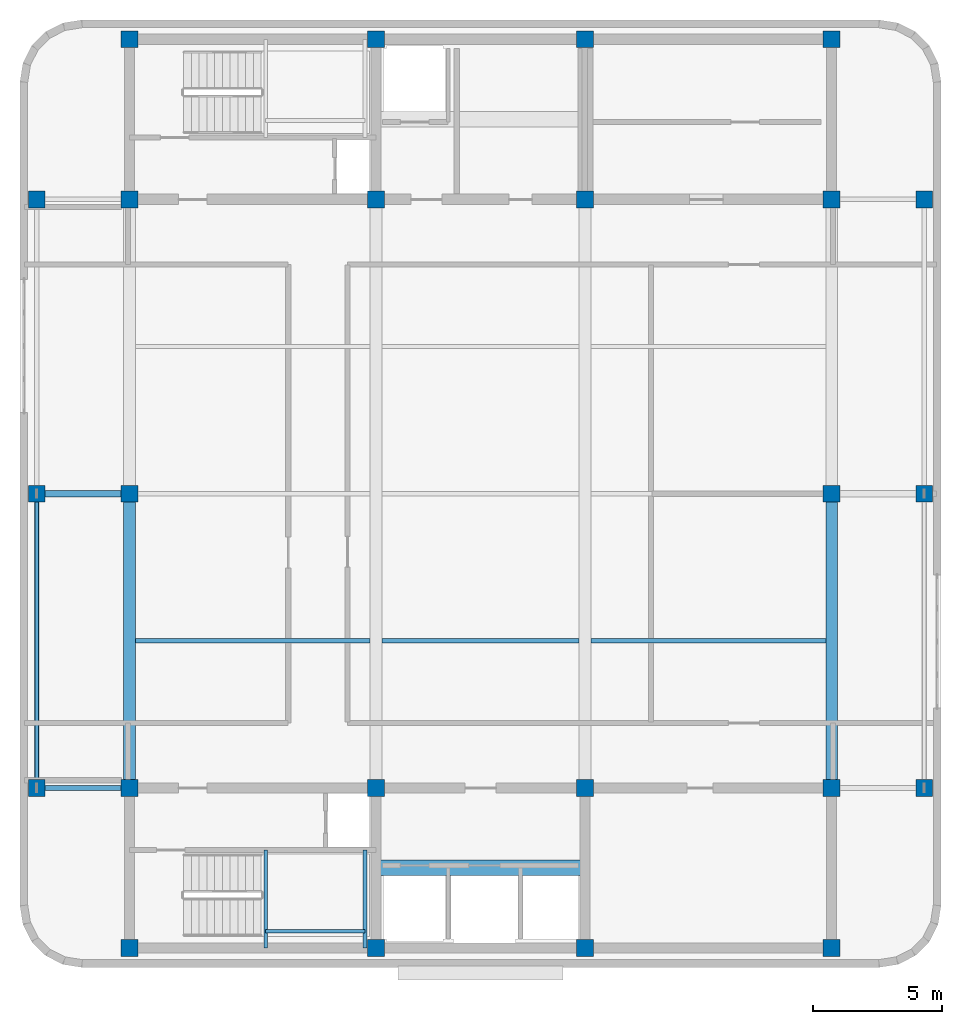
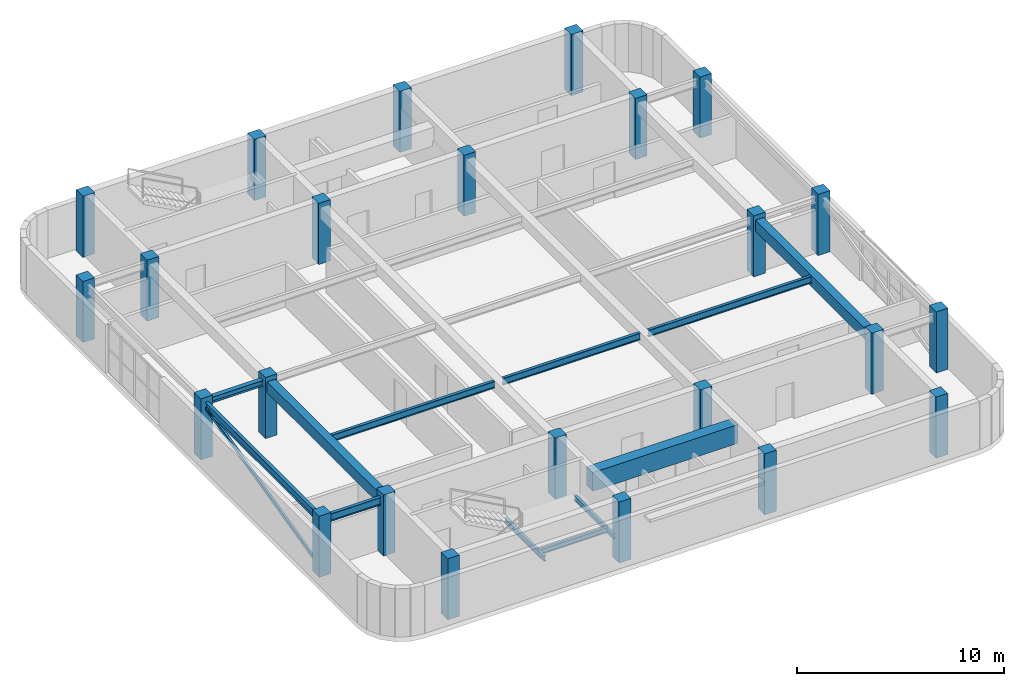
# One storey, part 1 of 9: 24 columns, 12 beams, 1 member.
"""IFC4 building model written with IfcOpenShell, lengths in metres."""

from ifc_helpers import new_model, si_unit, direction, frame, origin, origin_2d, place, context, subcontext, project, spatial, rectangle, hollow_rectangle, i_section, extrude, material, material_profile, profile_set, type_object, element, save


model = new_model("IFC4")

# Units and contexts
model_context = context("Model", 3, precision=1e-05, world=origin(), true_north=direction((0.0, 1.0)))
body_context = subcontext(model_context, "Body", "Model", "MODEL_VIEW")
ifc_project = project(units=[si_unit("LENGTHUNIT", "METRE"), si_unit("AREAUNIT", "SQUARE_METRE"), si_unit("VOLUMEUNIT", "CUBIC_METRE"), si_unit("PLANEANGLEUNIT", "RADIAN"), si_unit("MASSUNIT", "GRAM", prefix="KILO")], contexts=[model_context])

# Site, building, storey
site_placement = place(None, origin())
site = spatial("IfcSite", under=ifc_project, at=site_placement, CompositionType="ELEMENT")
building_placement = place(site_placement, origin())
building = spatial("IfcBuilding", under=site, at=building_placement, Name="Svetorya Sky Lyceum", CompositionType="ELEMENT")
storey_placement = place(building_placement, frame((0.0, 0.0, 316.39990234375)))
storey = spatial("IfcBuildingStorey", under=building, at=storey_placement, Name="C05", CompositionType="ELEMENT", Elevation=316.39990234375)

# Columns
ifc_material_1 = material(Name="Concrete C40/50", Category="concrete")
ifc_material_profile_1 = material_profile(ifc_material_1, rectangle(XDim=0.64990234375, YDim=0.64990234375, at=origin_2d()), Name="RC COL 650x650")
ifc_profile_set_1 = profile_set([ifc_material_profile_1], Name="Concrete C40/50")
column_type = type_object("IfcColumnType", Name="COL-RC-650", PredefinedType="COLUMN", material=ifc_profile_set_1)
for number, where, z_axis, x_axis, name in (
    (1, (25.60009765625, 10.60009765625, 0.0), (0.0, 0.0, 1.0), (1.0, 0.0, 0.0), "C05 Core Column CS-11"),
    (2, (25.60009765625, 16.800048828125, 0.0), (0.0, 0.0, 1.0), (1.0, 0.0, 0.0), "C05 Core Column CS-12"),
    (3, (35.14990234375, 10.60009765625, 0.0), (0.0, 0.0, 1.0), (1.0, 0.0, 0.0), "C05 Core Column CS-21"),
    (4, (35.14990234375, 16.800048828125, 0.0), (0.0, 0.0, 1.0), (1.0, 0.0, 0.0), "C05 Core Column CS-22"),
    (5, (43.25, 10.60009765625, 0.0), (0.0, 0.0, 1.0), (1.0, 0.0, 0.0), "C05 Core Column CS-31"),
    (6, (43.25, 16.800048828125, 0.0), (0.0, 0.0, 1.0), (1.0, 0.0, 0.0), "C05 Core Column CS-32"),
    (7, (52.800048828125, 10.60009765625, 0.0), (0.0, 0.0, 1.0), (1.0, 0.0, 0.0), "C05 Core Column CS-41"),
    (8, (52.800048828125, 16.800048828125, 0.0), (0.0, 0.0, 1.0), (1.0, 0.0, 0.0), "C05 Core Column CS-42"),
    (9, (25.60009765625, 39.60009765625, 0.0), (0.0, 0.0, 1.0), (1.0, 0.0, 0.0), "C05 Core Column CN-11"),
    (10, (25.60009765625, 45.800048828125, 0.0), (0.0, 0.0, 1.0), (1.0, 0.0, 0.0), "C05 Core Column CN-12"),
    (11, (35.14990234375, 39.60009765625, 0.0), (0.0, 0.0, 1.0), (1.0, 0.0, 0.0), "C05 Core Column CN-21"),
    (12, (35.14990234375, 45.800048828125, 0.0), (0.0, 0.0, 1.0), (1.0, 0.0, 0.0), "C05 Core Column CN-22"),
    (13, (43.25, 39.60009765625, 0.0), (0.0, 0.0, 1.0), (1.0, 0.0, 0.0), "C05 Core Column CN-31"),
    (14, (43.25, 45.800048828125, 0.0), (0.0, 0.0, 1.0), (1.0, 0.0, 0.0), "C05 Core Column CN-32"),
    (15, (52.800048828125, 39.60009765625, 0.0), (0.0, 0.0, 1.0), (1.0, 0.0, 0.0), "C05 Core Column CN-41"),
    (16, (52.800048828125, 45.800048828125, 0.0), (0.0, 0.0, 1.0), (1.0, 0.0, 0.0), "C05 Core Column CN-42"),
    (17, (25.60009765625, 28.199951171875, 0.0), (0.0, 0.0, 1.0), (1.0, 0.0, 0.0), "C05 Core Column CM-W"),
    (18, (52.800048828125, 28.199951171875, 0.0), (0.0, 0.0, 1.0), (1.0, 0.0, 0.0), "C05 Core Column CM-E"),
    (19, (22.010009765625, 16.800048828125, 0.0), (0.0, 0.0, 1.0), (1.0, 0.0, 0.0), "C05 Perimeter Column W1"),
    (20, (56.389892578125, 16.800048828125, 0.0), (0.0, 0.0, 1.0), (1.0, 0.0, 0.0), "C05 Perimeter Column E1"),
    (21, (22.010009765625, 28.199951171875, 0.0), (0.0, 0.0, 1.0), (1.0, 0.0, 0.0), "C05 Perimeter Column W2"),
    (22, (56.389892578125, 28.199951171875, 0.0), (0.0, 0.0, 1.0), (1.0, 0.0, 0.0), "C05 Perimeter Column E2"),
    (23, (22.010009765625, 39.60009765625, 0.0), (0.0, 0.0, 1.0), (1.0, 0.0, 0.0), "C05 Perimeter Column W3"),
    (24, (56.389892578125, 39.60009765625, 0.0), (0.0, 0.0, 1.0), (1.0, 0.0, 0.0), "C05 Perimeter Column E3"),
):
    element("IfcColumn", number, at=place(storey_placement, frame(where, z_axis=z_axis, x_axis=x_axis)), inside=storey, type_object=column_type, Name=name, PredefinedType="COLUMN", context=body_context, shape_type="SweptSolid", body=[
        extrude(rectangle(XDim=0.64990234375, YDim=0.64990234375, at=origin_2d()), origin(), (0.0, 0.0, 1.0), 3.60009765625),
    ])

# Beams
ifc_material_2 = material(Name="Concrete C60/75", Category="concrete")
ifc_material_profile_2 = material_profile(ifc_material_2, rectangle(XDim=0.60009765625, YDim=1.10009765625, at=origin_2d()), Name="RC COUPLING 600x1100")
ifc_profile_set_2 = profile_set([ifc_material_profile_2], Name="Concrete C60/75")
beam_type_1 = type_object("IfcBeamType", Name="BM-CPL-1100", PredefinedType="LINTEL", material=ifc_profile_set_2)
beam_1_placement = place(storey_placement, frame((35.14990234375, 13.699951171875, 2.77001953125), z_axis=(1.0, 0.0, 0.0), x_axis=(0.0, 1.0, 0.0)))
element("IfcBeam", 25, at=beam_1_placement, inside=storey, type_object=beam_type_1, Name="C05 SC Core Coupling Beam", PredefinedType="LINTEL", context=body_context, shape_type="SweptSolid", body=[
    extrude(rectangle(XDim=0.60009765625, YDim=1.10009765625, at=origin_2d()), origin(), (0.0, 0.0, 1.0), 8.10009765625),
])
ifc_material_profile_3 = material_profile(ifc_material_1, rectangle(XDim=0.449951171875, YDim=0.64990234375, at=origin_2d()), Name="RC BEAM 450x650")
ifc_profile_set_3 = profile_set([ifc_material_profile_3], Name="Concrete C40/50")
beam_type_2 = type_object("IfcBeamType", Name="BM-RC-650", PredefinedType="BEAM", material=ifc_profile_set_3)
for number, where, z_axis, x_axis, name in (
    (26, (25.60009765625, 16.800048828125, 2.9951171875), (0.0, 1.0, 0.0), (-1.0, 0.0, 0.0), "C05 Central Bay Primary Girder CG-1A"),
    (27, (52.800048828125, 16.800048828125, 2.9951171875), (0.0, 1.0, 0.0), (-1.0, 0.0, 0.0), "C05 Central Bay Primary Girder CG-4A"),
):
    element("IfcBeam", number, at=place(storey_placement, frame(where, z_axis=z_axis, x_axis=x_axis)), inside=storey, type_object=beam_type_2, Name=name, PredefinedType="BEAM", context=body_context, shape_type="SweptSolid", body=[
        extrude(rectangle(XDim=0.449951171875, YDim=0.64990234375, at=origin_2d()), origin(), (0.0, 0.0, 1.0), 11.39990234375),
    ])
ifc_material_3 = material(Name="Steel S355", Category="steel")
ifc_material_profile_4 = material_profile(ifc_material_3, i_section(OverallWidth=0.14990234375, OverallDepth=0.299072265625, WebThickness=0.006591796875, FlangeThickness=0.010498046875, at=origin_2d()), Name="GOST 30B2")
ifc_profile_set_4 = profile_set([ifc_material_profile_4], Name="Steel S355")
beam_type_3 = type_object("IfcBeamType", Name="BM-STL-30B2", PredefinedType="JOIST", material=ifc_profile_set_4)
for number, where, z_axis, x_axis, name in (
    (28, (30.8798828125, 10.60009765625, 1.45068359375), (0.0, 1.0, 0.0), (-1.0, 0.0, 0.0), "C05 Stair ST-S Half-Landing Support Beam 88.1"),
    (29, (34.719970703125, 10.60009765625, 1.45068359375), (0.0, 1.0, 0.0), (-1.0, 0.0, 0.0), "C05 Stair ST-S Half-Landing Support Beam 88.2"),
):
    element("IfcBeam", number, at=place(storey_placement, frame(where, z_axis=z_axis, x_axis=x_axis)), inside=storey, type_object=beam_type_3, Name=name, PredefinedType="JOIST", context=body_context, shape_type="SweptSolid", body=[
        extrude(i_section(OverallWidth=0.14990234375, OverallDepth=0.299072265625, WebThickness=0.006591796875, FlangeThickness=0.010498046875, at=origin_2d()), origin(), (0.0, 0.0, 1.0), 3.7998046875),
    ])
beam_2_placement = place(storey_placement, frame((30.8798828125, 11.25, 1.45068359375), z_axis=(1.0, 0.0, 0.0), x_axis=(0.0, 1.0, 0.0)))
element("IfcBeam", 30, at=beam_2_placement, inside=storey, type_object=beam_type_3, Name="C05 Stair ST-S Half-Landing Cross Tie 88", PredefinedType="JOIST", context=body_context, shape_type="SweptSolid", body=[
    extrude(i_section(OverallWidth=0.14990234375, OverallDepth=0.299072265625, WebThickness=0.006591796875, FlangeThickness=0.010498046875, at=origin_2d()), origin(), (0.0, 0.0, 1.0), 3.840087890625),
])
ifc_material_profile_5 = material_profile(ifc_material_3, i_section(OverallWidth=0.25, OverallDepth=0.345947265625, WebThickness=0.009521484375, FlangeThickness=0.014404296875, at=origin_2d()), Name="GOST 35Sh2")
ifc_profile_set_5 = profile_set([ifc_material_profile_5], Name="Steel S355")
beam_type_4 = type_object("IfcBeamType", Name="BM-STL-35SH2", PredefinedType="BEAM", material=ifc_profile_set_5)
beam_3_placement = place(storey_placement, frame((22.010009765625, 28.199951171875, 3.147216796875), z_axis=(1.0, 0.0, 0.0), x_axis=(0.0, 1.0, 0.0)))
element("IfcBeam", 31, at=beam_3_placement, inside=storey, type_object=beam_type_4, Name="C05 West Wing Floor Joist W2", PredefinedType="BEAM", context=body_context, shape_type="SweptSolid", body=[
    extrude(i_section(OverallWidth=0.25, OverallDepth=0.345947265625, WebThickness=0.009521484375, FlangeThickness=0.014404296875, at=origin_2d()), origin(), (0.0, 0.0, 1.0), 3.590087890625),
])
ifc_material_profile_6 = material_profile(ifc_material_3, i_section(OverallWidth=0.1650390625, OverallDepth=0.39990234375, WebThickness=0.008056640625, FlangeThickness=0.012939453125, at=origin_2d()), Name="GOST 40B2")
ifc_profile_set_6 = profile_set([ifc_material_profile_6], Name="Steel S355")
beam_type_5 = type_object("IfcBeamType", Name="BM-STL-40B2", PredefinedType="JOIST", material=ifc_profile_set_6)
beam_4_placement = place(storey_placement, frame((25.824951171875, 22.5, 3.1201171875), z_axis=(1.0, 0.0, 0.0), x_axis=(0.0, 1.0, 0.0)))
element("IfcBeam", 32, at=beam_4_placement, inside=storey, type_object=beam_type_5, Name="C05 Central Floor Joist CJ-1.1", PredefinedType="JOIST", context=body_context, shape_type="SweptSolid", body=[
    extrude(i_section(OverallWidth=0.1650390625, OverallDepth=0.39990234375, WebThickness=0.008056640625, FlangeThickness=0.012939453125, at=origin_2d()), origin(), (0.0, 0.0, 1.0), 9.10009765625),
])
beam_5_placement = place(storey_placement, frame((35.375, 22.5, 3.1201171875), z_axis=(1.0, 0.0, 0.0), x_axis=(0.0, 1.0, 0.0)))
element("IfcBeam", 33, at=beam_5_placement, inside=storey, type_object=beam_type_5, Name="C05 Central Floor Joist CJ-1.2", PredefinedType="JOIST", context=body_context, shape_type="SweptSolid", body=[
    extrude(i_section(OverallWidth=0.1650390625, OverallDepth=0.39990234375, WebThickness=0.008056640625, FlangeThickness=0.012939453125, at=origin_2d()), origin(), (0.0, 0.0, 1.0), 7.64990234375),
])
beam_6_placement = place(storey_placement, frame((43.47509765625, 22.5, 3.1201171875), z_axis=(1.0, 0.0, 0.0), x_axis=(0.0, 1.0, 0.0)))
element("IfcBeam", 34, at=beam_6_placement, inside=storey, type_object=beam_type_5, Name="C05 Central Floor Joist CJ-1.3", PredefinedType="JOIST", context=body_context, shape_type="SweptSolid", body=[
    extrude(i_section(OverallWidth=0.1650390625, OverallDepth=0.39990234375, WebThickness=0.008056640625, FlangeThickness=0.012939453125, at=origin_2d()), origin(), (0.0, 0.0, 1.0), 9.099853515625),
])
ifc_material_profile_7 = material_profile(ifc_material_3, i_section(OverallWidth=0.179931640625, OverallDepth=0.449951171875, WebThickness=0.009033203125, FlangeThickness=0.014404296875, at=origin_2d()), Name="GOST 45B2")
ifc_profile_set_7 = profile_set([ifc_material_profile_7], Name="Steel S355")
beam_type_6 = type_object("IfcBeamType", Name="BM-STL-45B2", PredefinedType="SPANDREL", material=ifc_profile_set_7)
beam_7_placement = place(storey_placement, frame((22.010009765625, 16.800048828125, 3.09521484375), z_axis=(1.0, 0.0, 0.0), x_axis=(0.0, 1.0, 0.0)))
element("IfcBeam", 35, at=beam_7_placement, inside=storey, type_object=beam_type_6, Name="C05 Tie Spandrel SW", PredefinedType="SPANDREL", context=body_context, shape_type="SweptSolid", body=[
    extrude(i_section(OverallWidth=0.179931640625, OverallDepth=0.449951171875, WebThickness=0.009033203125, FlangeThickness=0.014404296875, at=origin_2d()), origin(), (0.0, 0.0, 1.0), 3.590087890625),
])
beam_8_placement = place(storey_placement, frame((22.010009765625, 16.800048828125, 3.09521484375), z_axis=(0.0, 1.0, 0.0), x_axis=(-1.0, 0.0, 0.0)))
element("IfcBeam", 36, at=beam_8_placement, inside=storey, type_object=beam_type_6, Name="C05 West Spandrel 1", PredefinedType="SPANDREL", context=body_context, shape_type="SweptSolid", body=[
    extrude(i_section(OverallWidth=0.179931640625, OverallDepth=0.449951171875, WebThickness=0.009033203125, FlangeThickness=0.014404296875, at=origin_2d()), origin(), (0.0, 0.0, 1.0), 11.39990234375),
])

# Member
ifc_material_profile_8 = material_profile(ifc_material_3, hollow_rectangle(XDim=0.1201171875, YDim=0.199951171875, WallThickness=0.008056640625, at=origin_2d()), Name="RHS 200x120x8")
ifc_profile_set_8 = profile_set([ifc_material_profile_8], Name="Steel S355")
member_type = type_object("IfcMemberType", Name="MB-STR-RHS200", PredefinedType="STRUT", material=ifc_profile_set_8)
member_placement = place(storey_placement, frame((22.010009765625, 16.800048828125, 0.25), z_axis=(0.0, 0.971724925391, 0.236115796537), x_axis=(-1.0, 0.0, 0.0)))
element("IfcMember", 37, at=member_placement, inside=storey, type_object=member_type, Name="C05 Crown Perimeter Frame Brace W", PredefinedType="STRUT", context=body_context, shape_type="SweptSolid", body=[
    extrude(hollow_rectangle(XDim=0.1201171875, YDim=0.199951171875, WallThickness=0.008056640625, at=origin_2d()), origin(), (0.0, 0.0, 1.0), 11.731689453125),
])

save(model, "model.ifc")
